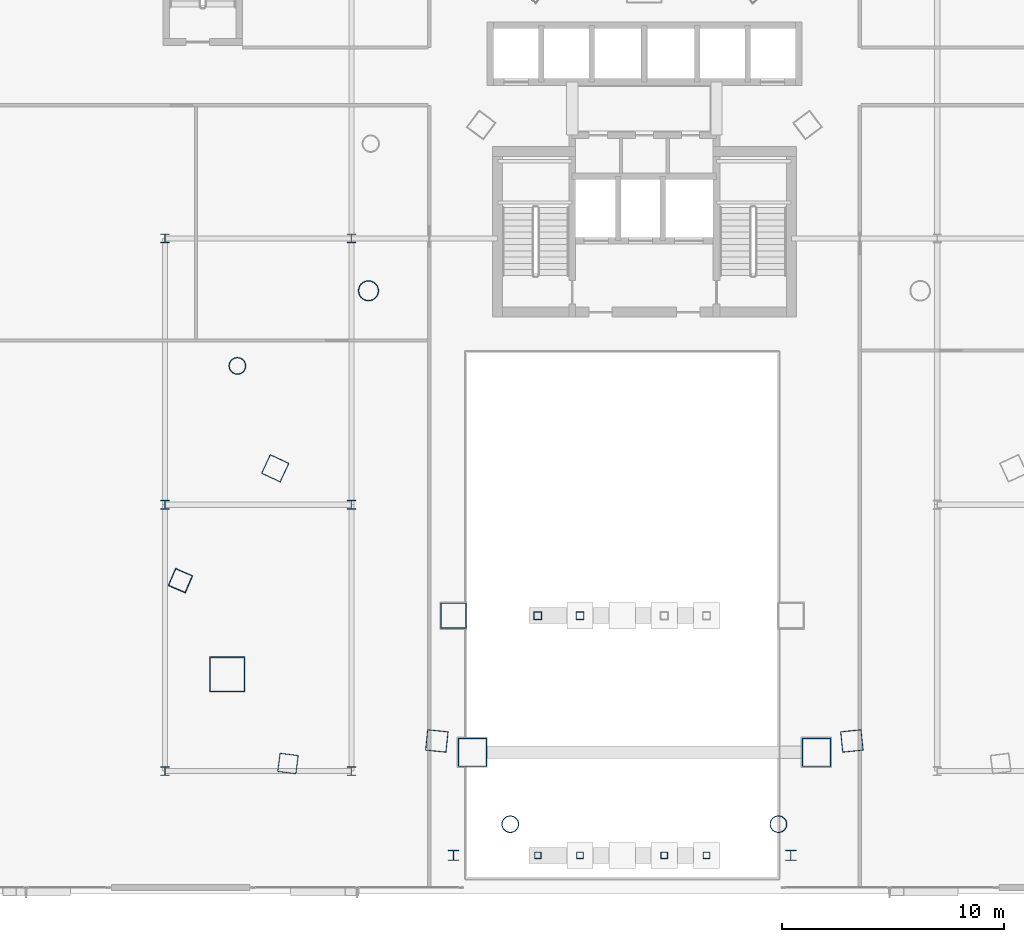
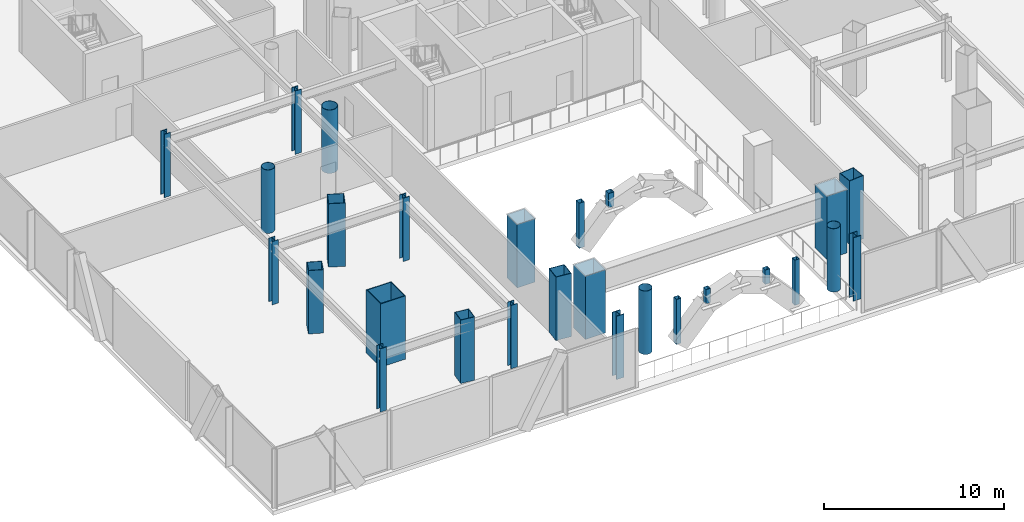
# One storey, part 1 of 42: 27 columns.
"""IFC4 building model written with IfcOpenShell, lengths in metres."""

from ifc_helpers import new_model, si_unit, direction, frame, origin, origin_2d, place, context, subcontext, project, spatial, hollow_rectangle, hollow_circle, i_section, extrude, material, material_profile, profile_set, type_object, element, save


model = new_model("IFC4")

# Units and contexts
model_context = context("Model", 3, precision=1e-05, world=origin(), true_north=direction((0.0, 1.0)))
body_context = subcontext(model_context, "Body", "Model", "MODEL_VIEW")
ifc_project = project(units=[si_unit("LENGTHUNIT", "METRE"), si_unit("AREAUNIT", "SQUARE_METRE"), si_unit("VOLUMEUNIT", "CUBIC_METRE"), si_unit("PLANEANGLEUNIT", "RADIAN"), si_unit("MASSUNIT", "GRAM", prefix="KILO")], contexts=[model_context])

# Site, building, storey
site_placement = place(None, origin())
site = spatial("IfcSite", under=ifc_project, at=site_placement, CompositionType="ELEMENT")
building_placement = place(site_placement, origin())
building = spatial("IfcBuilding", under=site, at=building_placement, Name="Orvanel Arch Residences", CompositionType="ELEMENT")
storey_placement = place(building_placement, frame((0.0, 0.0, 9.800048828125)))
storey = spatial("IfcBuildingStorey", under=building, at=storey_placement, Name="L02", CompositionType="ELEMENT", Elevation=9.800048828125)

# Columns
ifc_material_1 = material(Name="Structural steel AS/NZS 1163 C450L0 (Grade 450)", Category="steel")
ifc_material_profile_1 = material_profile(ifc_material_1, hollow_circle(Radius=0.381103515625, WallThickness=0.02197265625, at=origin_2d()), Name="CHS762x22")
ifc_profile_set_1 = profile_set([ifc_material_profile_1], Name="Structural steel AS/NZS 1163 C450L0 (Grade 450)")
column_type_1 = type_object("IfcColumnType", Name="CC-762", PredefinedType="COLUMN", material=ifc_profile_set_1)
for number, where, z_axis, x_axis, name in (
    (1, (14.662109375, 24.256103515625, 0.0), (0.0, 0.0, 1.0), (1.0, 0.0, 0.0), "L02 Low-Rise Buttress Tube Column 02"),
    (2, (26.9580078125, 3.60498046875, 0.0), (0.0, 0.0, 1.0), (1.0, 0.0, 0.0), "L02 Low-Rise Buttress Tube Column 03"),
    (3, (39.0419921875, 3.60498046875, 0.0), (0.0, 0.0, 1.0), (1.0, 0.0, 0.0), "L02 Low-Rise Buttress Tube Column 04"),
):
    element("IfcColumn", number, at=place(storey_placement, frame(where, z_axis=z_axis, x_axis=x_axis)), inside=storey, type_object=column_type_1, Name=name, PredefinedType="COLUMN", context=body_context, shape_type="SweptSolid", body=[
        extrude(hollow_circle(Radius=0.381103515625, WallThickness=0.02197265625, at=origin_2d()), origin(), (0.0, 0.0, 1.0), 4.300048828125),
    ])
ifc_material_profile_2 = material_profile(ifc_material_1, hollow_circle(Radius=0.45703125, WallThickness=0.02490234375, at=origin_2d()), Name="CHS914x25")
ifc_profile_set_2 = profile_set([ifc_material_profile_2], Name="Structural steel AS/NZS 1163 C450L0 (Grade 450)")
column_type_2 = type_object("IfcColumnType", Name="CC-914", PredefinedType="COLUMN", material=ifc_profile_set_2)
column_1_placement = place(storey_placement, frame((20.569091796875, 27.64111328125, 0.0), z_axis=(0.0, 0.0, 1.0), x_axis=(1.0, 0.0, 0.0)))
element("IfcColumn", 4, at=column_1_placement, inside=storey, type_object=column_type_2, Name="L02 High-Rise Tube Column 02", PredefinedType="COLUMN", context=body_context, shape_type="SweptSolid", body=[
    extrude(hollow_circle(Radius=0.45703125, WallThickness=0.02490234375, at=origin_2d()), origin(), (0.0, 0.0, 1.0), 4.300048828125),
])
ifc_material_2 = material(Name="Structural steel AS/NZS 3678 Grade 450", Category="steel")
ifc_material_profile_3 = material_profile(ifc_material_2, hollow_rectangle(XDim=1.14990234375, YDim=1.14990234375, WallThickness=0.035888671875, at=origin_2d()), Name="BOX1150x1150x36")
ifc_profile_set_3 = profile_set([ifc_material_profile_3], Name="Structural steel AS/NZS 3678 Grade 450")
column_type_3 = type_object("IfcColumnType", Name="MC-1150", PredefinedType="COLUMN", material=ifc_profile_set_3)
column_2_placement = place(storey_placement, frame((24.39990234375, 13.0, 0.0), z_axis=(0.0, 0.0, 1.0), x_axis=(1.0, 0.0, 0.0)))
element("IfcColumn", 5, at=column_2_placement, inside=storey, type_object=column_type_3, Name="L02 Arch Portal Pier MID W", PredefinedType="COLUMN", context=body_context, shape_type="SweptSolid", body=[
    extrude(hollow_rectangle(XDim=1.14990234375, YDim=1.14990234375, WallThickness=0.035888671875, at=origin_2d()), origin(), (0.0, 0.0, 1.0), 4.300048828125),
])
ifc_material_profile_4 = material_profile(ifc_material_2, hollow_rectangle(XDim=1.300048828125, YDim=1.300048828125, WallThickness=0.0400390625, at=origin_2d()), Name="BOX1300x1300x40")
ifc_profile_set_4 = profile_set([ifc_material_profile_4], Name="Structural steel AS/NZS 3678 Grade 450")
column_type_4 = type_object("IfcColumnType", Name="MC-1300", PredefinedType="COLUMN", material=ifc_profile_set_4)
for number, where, z_axis, x_axis, name in (
    (6, (25.25, 6.843994140625, 0.0), (0.0, 0.0, 1.0), (1.0, 0.0, 0.0), "L02 Arch Transfer Pier W"),
    (7, (40.75, 6.843994140625, 0.0), (0.0, 0.0, 1.0), (1.0, 0.0, 0.0), "L02 Arch Transfer Pier E"),
):
    element("IfcColumn", number, at=place(storey_placement, frame(where, z_axis=z_axis, x_axis=x_axis)), inside=storey, type_object=column_type_4, Name=name, PredefinedType="COLUMN", context=body_context, shape_type="SweptSolid", body=[
        extrude(hollow_rectangle(XDim=1.300048828125, YDim=1.300048828125, WallThickness=0.0400390625, at=origin_2d()), origin(), (0.0, 0.0, 1.0), 4.300048828125),
    ])
ifc_material_profile_5 = material_profile(ifc_material_2, hollow_rectangle(XDim=1.60009765625, YDim=1.60009765625, WallThickness=0.050048828125, at=origin_2d()), Name="BOX1600x1600x50")
ifc_profile_set_5 = profile_set([ifc_material_profile_5], Name="Structural steel AS/NZS 3678 Grade 450")
column_type_5 = type_object("IfcColumnType", Name="MC-1600", PredefinedType="COLUMN", material=ifc_profile_set_5)
column_3_placement = place(storey_placement, frame((14.198974609375, 10.35107421875, 0.0), z_axis=(0.0, 0.0, 1.0), x_axis=(1.0, 0.0, 0.0)))
element("IfcColumn", 8, at=column_3_placement, inside=storey, type_object=column_type_5, Name="L02 Corner Composite Mega-Column 2", PredefinedType="COLUMN", context=body_context, shape_type="SweptSolid", body=[
    extrude(hollow_rectangle(XDim=1.60009765625, YDim=1.60009765625, WallThickness=0.050048828125, at=origin_2d()), origin(), (0.0, 0.0, 1.0), 4.300048828125),
])
ifc_material_3 = material(Name="Structural steel AS/NZS 1163 C350L0 (Grade 350)", Category="steel")
ifc_material_profile_6 = material_profile(ifc_material_3, hollow_rectangle(XDim=0.300048828125, YDim=0.300048828125, WallThickness=0.012451171875, at=origin_2d()), Name="SHS300x300x12.5")
ifc_profile_set_6 = profile_set([ifc_material_profile_6], Name="Structural steel AS/NZS 1163 C350L0 (Grade 350)")
column_type_6 = type_object("IfcColumnType", Name="OC-300SHS-EXT", PredefinedType="COLUMN", material=ifc_profile_set_6)
column_4_placement = place(storey_placement, frame((28.199951171875, 2.199951171875, 0.962890625), z_axis=(0.0, 0.0, 1.0), x_axis=(1.0, 0.0, 0.0)))
element("IfcColumn", 9, at=column_4_placement, inside=storey, type_object=column_type_6, Name="L02 Open-Spandrel Arch Post SOUTH 2", PredefinedType="COLUMN", context=body_context, shape_type="SweptSolid", body=[
    extrude(hollow_rectangle(XDim=0.300048828125, YDim=0.300048828125, WallThickness=0.012451171875, at=origin_2d()), origin(), (0.0, 0.0, 1.0), 3.05712890625),
])
for number, where, z_axis, x_axis, name in (
    (10, (30.10009765625, 2.199951171875, 3.052978515625), (0.0, 0.0, 1.0), (1.0, 0.0, 0.0), "L02 Open-Spandrel Arch Post SOUTH 3"),
    (11, (33.89990234375, 2.199951171875, 3.052978515625), (0.0, 0.0, 1.0), (1.0, 0.0, 0.0), "L02 Open-Spandrel Arch Post SOUTH 5"),
):
    element("IfcColumn", number, at=place(storey_placement, frame(where, z_axis=z_axis, x_axis=x_axis)), inside=storey, type_object=column_type_6, Name=name, PredefinedType="COLUMN", context=body_context, shape_type="SweptSolid", body=[
        extrude(hollow_rectangle(XDim=0.300048828125, YDim=0.300048828125, WallThickness=0.012451171875, at=origin_2d()), origin(), (0.0, 0.0, 1.0), 0.967041015625),
    ])
column_5_placement = place(storey_placement, frame((35.800048828125, 2.199951171875, 0.962890625), z_axis=(0.0, 0.0, 1.0), x_axis=(1.0, 0.0, 0.0)))
element("IfcColumn", 12, at=column_5_placement, inside=storey, type_object=column_type_6, Name="L02 Open-Spandrel Arch Post SOUTH 6", PredefinedType="COLUMN", context=body_context, shape_type="SweptSolid", body=[
    extrude(hollow_rectangle(XDim=0.300048828125, YDim=0.300048828125, WallThickness=0.012451171875, at=origin_2d()), origin(), (0.0, 0.0, 1.0), 3.05712890625),
])
ifc_material_profile_7 = material_profile(ifc_material_3, hollow_rectangle(XDim=0.35009765625, YDim=0.35009765625, WallThickness=0.01611328125, at=origin_2d()), Name="SHS350x350x16")
ifc_profile_set_7 = profile_set([ifc_material_profile_7], Name="Structural steel AS/NZS 1163 C350L0 (Grade 350)")
column_type_7 = type_object("IfcColumnType", Name="OC-350SHS", PredefinedType="COLUMN", material=ifc_profile_set_7)
column_6_placement = place(storey_placement, frame((28.199951171875, 13.0, 0.962890625), z_axis=(0.0, 0.0, 1.0), x_axis=(1.0, 0.0, 0.0)))
element("IfcColumn", 13, at=column_6_placement, inside=storey, type_object=column_type_7, Name="L02 Open-Spandrel Arch Post MID 2", PredefinedType="COLUMN", context=body_context, shape_type="SweptSolid", body=[
    extrude(hollow_rectangle(XDim=0.35009765625, YDim=0.35009765625, WallThickness=0.01611328125, at=origin_2d()), origin(), (0.0, 0.0, 1.0), 3.05712890625),
])
column_7_placement = place(storey_placement, frame((30.10009765625, 13.0, 3.052978515625), z_axis=(0.0, 0.0, 1.0), x_axis=(1.0, 0.0, 0.0)))
element("IfcColumn", 14, at=column_7_placement, inside=storey, type_object=column_type_7, Name="L02 Open-Spandrel Arch Post MID 3", PredefinedType="COLUMN", context=body_context, shape_type="SweptSolid", body=[
    extrude(hollow_rectangle(XDim=0.35009765625, YDim=0.35009765625, WallThickness=0.01611328125, at=origin_2d()), origin(), (0.0, 0.0, 1.0), 0.967041015625),
])
ifc_material_4 = material(Name="Structural steel AS/NZS 3679.1 Grade 300 (300 MPa)", Category="steel")
ifc_material_profile_8 = material_profile(ifc_material_4, i_section(OverallWidth=0.39990234375, OverallDepth=0.409912109375, WebThickness=0.02490234375, FlangeThickness=0.035888671875, at=origin_2d()), Name="400WC328")
ifc_profile_set_8 = profile_set([ifc_material_profile_8], Name="Structural steel AS/NZS 3679.1 Grade 300 (300 MPa)")
column_type_8 = type_object("IfcColumnType", Name="SC-400WC", PredefinedType="COLUMN", material=ifc_profile_set_8)
for number, where, z_axis, x_axis, name in (
    (15, (11.39990234375, 6.0, 0.0), (0.0, 0.0, 1.0), (1.0, 0.0, 0.0), "L02 Podium Grid Column 01"),
    (16, (11.39990234375, 18.0, 0.0), (0.0, 0.0, 1.0), (1.0, 0.0, 0.0), "L02 Podium Grid Column 02"),
    (17, (11.39990234375, 30.0, 0.0), (0.0, 0.0, 1.0), (1.0, 0.0, 0.0), "L02 Podium Grid Column 03"),
    (18, (19.800048828125, 6.0, 0.0), (0.0, 0.0, 1.0), (1.0, 0.0, 0.0), "L02 Podium Grid Column 04"),
    (19, (19.800048828125, 18.0, 0.0), (0.0, 0.0, 1.0), (1.0, 0.0, 0.0), "L02 Podium Grid Column 05"),
    (20, (19.800048828125, 30.0, 0.0), (0.0, 0.0, 1.0), (1.0, 0.0, 0.0), "L02 Podium Grid Column 06"),
):
    element("IfcColumn", number, at=place(storey_placement, frame(where, z_axis=z_axis, x_axis=x_axis)), inside=storey, type_object=column_type_8, Name=name, PredefinedType="COLUMN", context=body_context, shape_type="SweptSolid", body=[
        extrude(i_section(OverallWidth=0.39990234375, OverallDepth=0.409912109375, WebThickness=0.02490234375, FlangeThickness=0.035888671875, at=origin_2d()), origin(), (0.0, 0.0, 1.0), 4.300048828125),
    ])
ifc_material_profile_9 = material_profile(ifc_material_4, i_section(OverallWidth=0.5, OverallDepth=0.47998046875, WebThickness=0.028076171875, FlangeThickness=0.0400390625, at=origin_2d()), Name="500WC440")
ifc_profile_set_9 = profile_set([ifc_material_profile_9], Name="Structural steel AS/NZS 3679.1 Grade 300 (300 MPa)")
column_type_9 = type_object("IfcColumnType", Name="SC-500WC-EXT", PredefinedType="COLUMN", material=ifc_profile_set_9)
for number, where, z_axis, x_axis, name in (
    (21, (24.39990234375, 2.199951171875, 0.0), (0.0, 0.0, 1.0), (1.0, 0.0, 0.0), "L02 Arch Portal Pier SOUTH W"),
    (22, (39.60009765625, 2.199951171875, 0.0), (0.0, 0.0, 1.0), (1.0, 0.0, 0.0), "L02 Arch Portal Pier SOUTH E"),
):
    element("IfcColumn", number, at=place(storey_placement, frame(where, z_axis=z_axis, x_axis=x_axis)), inside=storey, type_object=column_type_9, Name=name, PredefinedType="COLUMN", context=body_context, shape_type="SweptSolid", body=[
        extrude(i_section(OverallWidth=0.5, OverallDepth=0.47998046875, WebThickness=0.028076171875, FlangeThickness=0.0400390625, at=origin_2d()), origin(), (0.0, 0.0, 1.0), 4.300048828125),
    ])
ifc_material_5 = material(Name="Structural steel AS/NZS 3678 Grade 350", Category="steel")
ifc_material_profile_10 = material_profile(ifc_material_5, hollow_rectangle(XDim=0.85009765625, YDim=0.85009765625, WallThickness=0.028076171875, at=origin_2d()), Name="BOX850x850x28")
ifc_profile_set_10 = profile_set([ifc_material_profile_10], Name="Structural steel AS/NZS 3678 Grade 350")
column_type_10 = type_object("IfcColumnType", Name="TC-850", PredefinedType="COLUMN", material=ifc_profile_set_10)
for number, where, z_axis, x_axis, name in (
    (23, (12.094970703125, 14.580078125, 0.0), (0.0, 0.0, 1.0), (0.397147890635, 0.917754625684, 0.0), "L02 Mid-Rise Buttress Tube Column 02"),
    (24, (16.94091796875, 6.339111328125, 0.0), (0.0, 0.0, 1.0), (-0.99189444259, 0.127064608601, 0.0), "L02 Mid-Rise Buttress Tube Column 03"),
):
    element("IfcColumn", number, at=place(storey_placement, frame(where, z_axis=z_axis, x_axis=x_axis)), inside=storey, type_object=column_type_10, Name=name, PredefinedType="COLUMN", context=body_context, shape_type="SweptSolid", body=[
        extrude(hollow_rectangle(XDim=0.85009765625, YDim=0.85009765625, WallThickness=0.028076171875, at=origin_2d()), origin(), (0.0, 0.0, 1.0), 4.300048828125),
    ])
ifc_material_profile_11 = material_profile(ifc_material_5, hollow_rectangle(XDim=0.949951171875, YDim=0.949951171875, WallThickness=0.031982421875, at=origin_2d()), Name="BOX950x950x32")
ifc_profile_set_11 = profile_set([ifc_material_profile_11], Name="Structural steel AS/NZS 3678 Grade 350")
column_type_11 = type_object("IfcColumnType", Name="TC-950", PredefinedType="COLUMN", material=ifc_profile_set_11)
for number, where, z_axis, x_axis, name in (
    (25, (16.366943359375, 19.64208984375, 0.0), (0.0, 0.0, 1.0), (0.422618261741, 0.906307787037, 0.0), "L02 High-Rise Tube Column 03"),
    (26, (23.64892578125, 7.35498046875, 0.0), (0.0, 0.0, 1.0), (-0.994880708829, 0.101056297183, 0.0), "L02 High-Rise Tube Column 04"),
    (27, (42.35107421875, 7.35498046875, 0.0), (0.0, 0.0, 1.0), (0.994880708829, 0.101056297183, 0.0), "L02 High-Rise Tube Column 06"),
):
    element("IfcColumn", number, at=place(storey_placement, frame(where, z_axis=z_axis, x_axis=x_axis)), inside=storey, type_object=column_type_11, Name=name, PredefinedType="COLUMN", context=body_context, shape_type="SweptSolid", body=[
        extrude(hollow_rectangle(XDim=0.949951171875, YDim=0.949951171875, WallThickness=0.031982421875, at=origin_2d()), origin(), (0.0, 0.0, 1.0), 4.300048828125),
    ])

save(model, "model.ifc")
